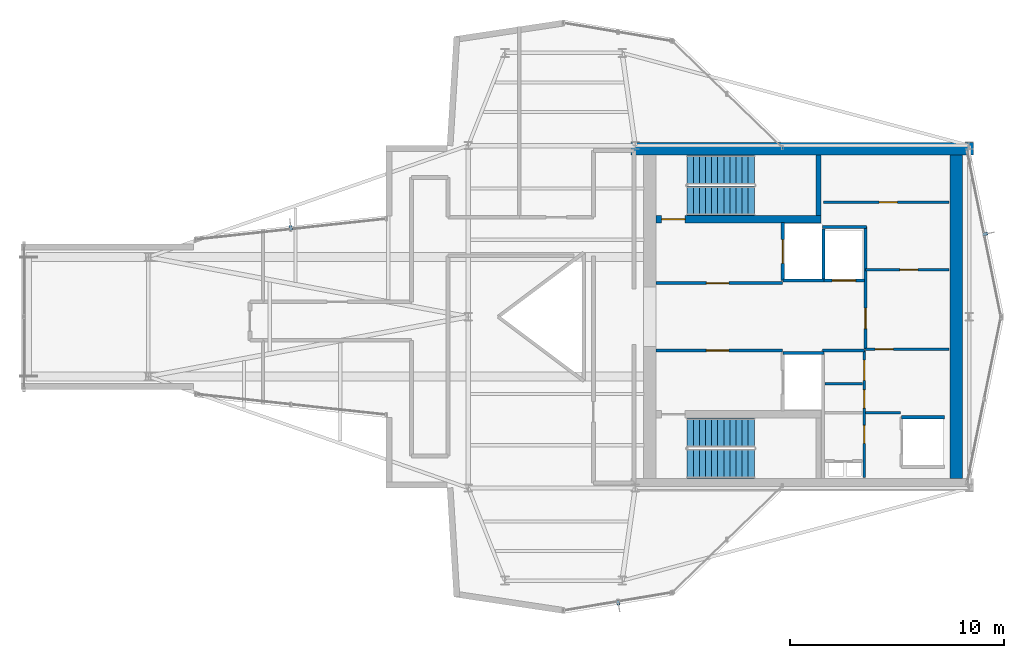
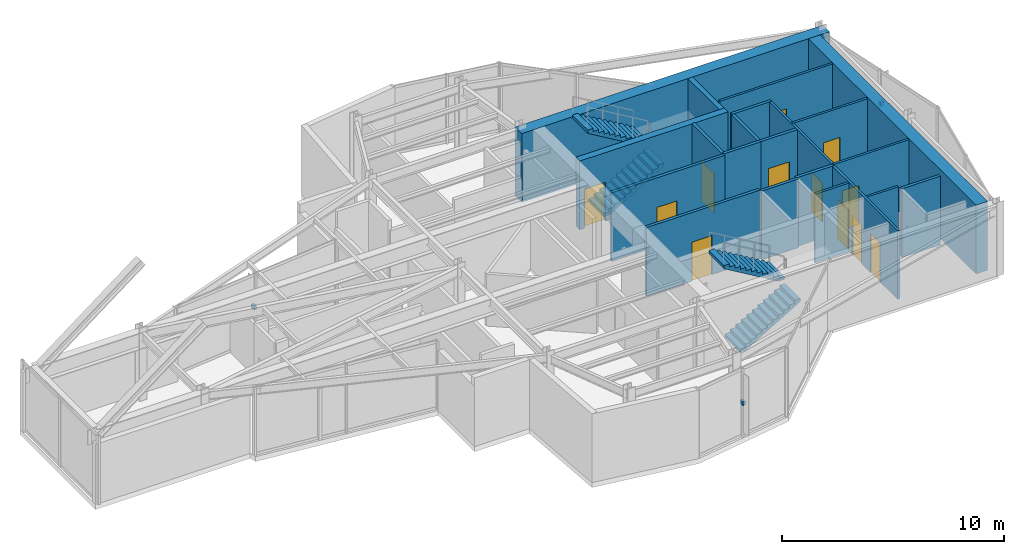
# One storey, part 15 of 16: 21 walls, 12 doors, 4 stair flights, 3 discrete accessories, 12 openings, 2 elements without a shape of their own.
"""IFC4 building model written with IfcOpenShell, lengths in metres."""

from ifc_helpers import new_model, si_unit, direction, frame, frame_2d, origin, origin_2d, place, context, subcontext, project, spatial, polyline, rectangle, outline, extrude, material, layer, layer_set, type_object, element, fill, aggregate, save


model = new_model("IFC4")

# Units and contexts
model_context = context("Model", 3, precision=1e-05, world=origin(), true_north=direction((0.0, 1.0)))
body_context = subcontext(model_context, "Body", "Model", "MODEL_VIEW")
ifc_project = project(units=[si_unit("LENGTHUNIT", "METRE"), si_unit("AREAUNIT", "SQUARE_METRE"), si_unit("VOLUMEUNIT", "CUBIC_METRE"), si_unit("PLANEANGLEUNIT", "RADIAN"), si_unit("MASSUNIT", "GRAM", prefix="KILO")], contexts=[model_context])

# Site, building, storey
site_placement = place(None, origin())
site = spatial("IfcSite", under=ifc_project, at=site_placement, CompositionType="ELEMENT")
building_placement = place(site_placement, origin())
building = spatial("IfcBuilding", under=site, at=building_placement, Name="Veymaron Broadcast Tower", CompositionType="ELEMENT")
storey_placement = place(building_placement, frame((0.0, 0.0, 315.449951171875)))
storey = spatial("IfcBuildingStorey", under=building, at=storey_placement, Name="L74", CompositionType="ELEMENT", Elevation=315.449951171875)

# Wall, opening, door
ifc_material_1 = material(Name="Gypsum fireboard and steel stud framing", Category="steel")
ifc_layer_1 = layer(ifc_material_1, 0.14990234375)
ifc_layer_set_1 = layer_set([ifc_layer_1], Name="Gypsum fireboard and steel stud framing")
wall_type_1 = type_object("IfcWallType", Name="WALL-FIRE-150", PredefinedType="PARTITIONING", material=ifc_layer_set_1)
wall_1_placement = place(storey_placement, frame((39.97998046875, 25.574951171875, 0.0), z_axis=(0.0, 0.0, 1.0), x_axis=(1.0, 0.0, 0.0)))
wall_1 = element("IfcWall", 1, at=wall_1_placement, inside=storey, type_object=wall_type_1, Name="L74 partition IW-L74-FFLN-S", PredefinedType="PARTITIONING", context=body_context, shape_type="SweptSolid", body=[
    extrude(rectangle(XDim=5.89990234375, YDim=0.14990234375, at=frame_2d((2.949951171875, 0.0))), origin(), (0.0, 0.0, 1.0), 3.780029296875),
])
opening_1_placement = place(wall_1_placement, frame((2.35009765625, 0.0, 0.0)))
opening_1 = element("IfcOpeningElement", 2, at=opening_1_placement, cuts=wall_1, Name="Opening ID-FL1", PredefinedType="OPENING", context=body_context, shape_type="SweptSolid", body=[
    extrude(rectangle(XDim=1.050048828125, YDim=2.14990234375, at=frame_2d((0.52490234375, 1.074951171875))), frame((0.0, 0.0849609375, 0.0), z_axis=(0.0, -1.0, 0.0), x_axis=(1.0, 0.0, 0.0)), (0.0, 0.0, 1.0), 0.169921875),
])
ifc_material_2 = material(Name="Fire-rated painted hollow steel ASTM A653", Category="steel")
door_type_1 = type_object("IfcDoorType", Name="DOOR-FIRE-1050", OperationType="NOTDEFINED", PredefinedType="DOOR", material=ifc_material_2)
door_1_placement = place(opening_1_placement, origin())
door_1 = element("IfcDoor", 3, at=door_1_placement, inside=storey, type_object=door_type_1, Name="L74 door DR-L74-FFLN", OperationType="SINGLE_SWING_LEFT", OverallHeight=2.14990234375, OverallWidth=1.050048828125, PredefinedType="DOOR", context=body_context, shape_type="SweptSolid", body=[
    extrude(rectangle(XDim=1.050048828125, YDim=2.14990234375, at=frame_2d((0.52490234375, 1.074951171875))), frame((0.0, 0.02490234375, 0.0), z_axis=(0.0, -1.0, 0.0), x_axis=(1.0, 0.0, 0.0)), (0.0, 0.0, 1.0), 0.050048828125),
])
fill(opening_1, door_1)

wall_2_placement = place(storey_placement, frame((39.97998046875, 22.425048828125, 0.0), z_axis=(0.0, 0.0, 1.0), x_axis=(1.0, 0.0, 0.0)))
wall_2 = element("IfcWall", 4, at=wall_2_placement, inside=storey, type_object=wall_type_1, Name="L74 partition IW-L74-FFLS-N", PredefinedType="PARTITIONING", context=body_context, shape_type="SweptSolid", body=[
    extrude(rectangle(XDim=5.89990234375, YDim=0.14990234375, at=frame_2d((2.949951171875, 0.0))), origin(), (0.0, 0.0, 1.0), 3.780029296875),
])
opening_2_placement = place(wall_2_placement, frame((2.35009765625, 0.0, 0.0)))
opening_2 = element("IfcOpeningElement", 5, at=opening_2_placement, cuts=wall_2, Name="Opening ID-FL1", PredefinedType="OPENING", context=body_context, shape_type="SweptSolid", body=[
    extrude(rectangle(XDim=1.050048828125, YDim=2.14990234375, at=frame_2d((0.52490234375, 1.074951171875))), frame((0.0, 0.0849609375, 0.0), z_axis=(0.0, -1.0, 0.0), x_axis=(1.0, 0.0, 0.0)), (0.0, 0.0, 1.0), 0.169921875),
])
door_2_placement = place(opening_2_placement, frame((1.050048828125, 0.0, 0.0), z_axis=(0.0, 0.0, 1.0), x_axis=(-1.0, 0.0, 0.0)))
door_2 = element("IfcDoor", 6, at=door_2_placement, inside=storey, type_object=door_type_1, Name="L74 door DR-L74-FFLS", OperationType="SINGLE_SWING_RIGHT", OverallHeight=2.14990234375, OverallWidth=1.050048828125, PredefinedType="DOOR", context=body_context, shape_type="SweptSolid", body=[
    extrude(rectangle(XDim=1.050048828125, YDim=2.14990234375, at=frame_2d((0.52490234375, 1.074951171875))), frame((0.0, 0.02490234375, 0.0), z_axis=(0.0, -1.0, 0.0), x_axis=(1.0, 0.0, 0.0)), (0.0, 0.0, 1.0), 0.050048828125),
])
fill(opening_2, door_2)

wall_3_placement = place(storey_placement, frame((45.89501953125, 25.68994140625, 0.0), z_axis=(0.0, 0.0, 1.0), x_axis=(0.0, 1.0, 0.0)))
wall_3 = element("IfcWall", 7, at=wall_3_placement, inside=storey, type_object=wall_type_1, Name="L74 partition IW-L74-SHW-FFL-1", PredefinedType="PARTITIONING", context=body_context, shape_type="SweptSolid", body=[
    extrude(rectangle(XDim=2.719970703125, YDim=0.14990234375, at=frame_2d((1.35986328125, 0.0))), origin(), (0.0, 0.0, 1.0), 3.780029296875),
])
opening_3_placement = place(wall_3_placement, frame((0.81005859375, 0.0, 0.0)))
opening_3 = element("IfcOpeningElement", 8, at=opening_3_placement, cuts=wall_3, Name="Opening LD", PredefinedType="OPENING", context=body_context, shape_type="SweptSolid", body=[
    extrude(rectangle(XDim=1.10009765625, YDim=2.14990234375, at=frame_2d((0.550048828125, 1.074951171875))), frame((0.0, 0.0849609375, 0.0), z_axis=(0.0, -1.0, 0.0), x_axis=(1.0, 0.0, 0.0)), (0.0, 0.0, 1.0), 0.169921875),
])
ifc_material_3 = material(Name="Brushed stainless steel AISI 304", Category="steel")
door_type_2 = type_object("IfcDoorType", Name="DOOR-LIFT-1100", OperationType="DOUBLE_DOOR_SLIDING", PredefinedType="DOOR", material=ifc_material_3)
door_3_placement = place(opening_3_placement, frame((1.10009765625, 0.0, 0.0), z_axis=(0.0, 0.0, 1.0), x_axis=(-1.0, 0.0, 0.0)))
door_3 = element("IfcDoor", 9, at=door_3_placement, inside=storey, type_object=door_type_2, Name="L74 door LD-L74-FFL-1", OperationType="DOUBLE_DOOR_SLIDING", OverallHeight=2.14990234375, OverallWidth=1.10009765625, PredefinedType="DOOR", context=body_context, shape_type="SweptSolid", body=[
    extrude(rectangle(XDim=1.10009765625, YDim=2.14990234375, at=frame_2d((0.550048828125, 1.074951171875))), frame((0.0, 0.02490234375, 0.0), z_axis=(0.0, -1.0, 0.0), x_axis=(1.0, 0.0, 0.0)), (0.0, 0.0, 1.0), 0.050048828125),
])
fill(opening_3, door_3)

# Walls
for number, where, z_axis, x_axis, name in (
    (10, (45.89501953125, 25.68994140625, 0.0), (0.0, 0.0, 1.0), (1.0, 0.0, 0.0), "L74 partition IW-L74-SHS-FFL-1"),
    (11, (45.89501953125, 22.31005859375, 0.0), (0.0, 0.0, 1.0), (1.0, 0.0, 0.0), "L74 partition IW-L74-SHN-FFL-2"),
):
    element("IfcWall", number, at=place(storey_placement, frame(where, z_axis=z_axis, x_axis=x_axis)), inside=storey, type_object=wall_type_1, Name=name, PredefinedType="PARTITIONING", context=body_context, shape_type="SweptSolid", body=[
        extrude(rectangle(XDim=1.9150390625, YDim=0.14990234375, at=frame_2d((0.95751953125, 0.0))), origin(), (0.0, 0.0, 1.0), 3.780029296875),
    ])

# Wall, opening, door
wall_4_placement = place(storey_placement, frame((47.7900390625, 25.695068359375, 0.0), z_axis=(0.0, 0.0, 1.0), x_axis=(1.0, 0.0, 0.0)))
wall_4 = element("IfcWall", 12, at=wall_4_placement, inside=storey, type_object=wall_type_1, Name="L74 partition IW-L74-SHS-SL-1", PredefinedType="PARTITIONING", context=body_context, shape_type="SweptSolid", body=[
    extrude(rectangle(XDim=1.919921875, YDim=0.14990234375, at=frame_2d((0.9599609375, 0.0))), origin(), (0.0, 0.0, 1.0), 3.780029296875),
])
opening_4_placement = place(wall_4_placement, frame((0.409912109375, 0.0, 0.0)))
opening_4 = element("IfcOpeningElement", 13, at=opening_4_placement, cuts=wall_4, Name="Opening LD", PredefinedType="OPENING", context=body_context, shape_type="SweptSolid", body=[
    extrude(rectangle(XDim=1.10009765625, YDim=2.14990234375, at=frame_2d((0.550048828125, 1.074951171875))), frame((0.0, 0.0849609375, 0.0), z_axis=(0.0, -1.0, 0.0), x_axis=(1.0, 0.0, 0.0)), (0.0, 0.0, 1.0), 0.169921875),
])
door_4_placement = place(opening_4_placement, frame((1.10009765625, 0.0, 0.0), z_axis=(0.0, 0.0, 1.0), x_axis=(-1.0, 0.0, 0.0)))
door_4 = element("IfcDoor", 14, at=door_4_placement, inside=storey, type_object=door_type_2, Name="L74 door LD-L74-SL-1", OperationType="DOUBLE_DOOR_SLIDING", OverallHeight=2.14990234375, OverallWidth=1.10009765625, PredefinedType="DOOR", context=body_context, shape_type="SweptSolid", body=[
    extrude(rectangle(XDim=1.10009765625, YDim=2.14990234375, at=frame_2d((0.550048828125, 1.074951171875))), frame((0.0, 0.02490234375, 0.0), z_axis=(0.0, -1.0, 0.0), x_axis=(1.0, 0.0, 0.0)), (0.0, 0.0, 1.0), 0.050048828125),
])
fill(opening_4, door_4)

# Walls
wall_5_placement = place(storey_placement, frame((47.7900390625, 25.695068359375, 0.0), z_axis=(0.0, 0.0, 1.0), x_axis=(0.0, 1.0, 0.0)))
element("IfcWall", 15, at=wall_5_placement, inside=storey, type_object=wall_type_1, Name="L74 partition IW-L74-SHW-SL-1", PredefinedType="PARTITIONING", context=body_context, shape_type="SweptSolid", body=[
    extrude(rectangle(XDim=2.4150390625, YDim=0.14990234375, at=frame_2d((1.20751953125, 0.0))), origin(), (0.0, 0.0, 1.0), 3.780029296875),
])
wall_6_placement = place(storey_placement, frame((51.445068359375, 19.31005859375, 0.0), z_axis=(0.0, 0.0, 1.0), x_axis=(1.0, 0.0, 0.0)))
element("IfcWall", 16, at=wall_6_placement, inside=storey, type_object=wall_type_1, Name="L74 partition IW-L74-SHN-PH1", PredefinedType="PARTITIONING", context=body_context, shape_type="SweptSolid", body=[
    extrude(rectangle(XDim=2.014892578125, YDim=0.14990234375, at=frame_2d((1.00732421875, 0.0))), origin(), (0.0, 0.0, 1.0), 3.780029296875),
])
wall_7_placement = place(storey_placement, frame((47.760009765625, 22.425048828125, 0.0), z_axis=(0.0, 0.0, 1.0), x_axis=(1.0, 0.0, 0.0)))
element("IfcWall", 17, at=wall_7_placement, inside=storey, type_object=wall_type_1, Name="L74 partition IW-L74-SM-N", PredefinedType="PARTITIONING", context=body_context, shape_type="SweptSolid", body=[
    extrude(rectangle(XDim=1.9599609375, YDim=0.14990234375, at=frame_2d((0.97998046875, 0.0))), origin(), (0.0, 0.0, 1.0), 3.780029296875),
])
wall_8_placement = place(storey_placement, frame((47.760009765625, 28.199951171875, 0.0), z_axis=(0.0, 0.0, 1.0), x_axis=(1.0, 0.0, 0.0)))
element("IfcWall", 18, at=wall_8_placement, inside=storey, type_object=wall_type_1, Name="L74 partition IW-L74-F3-SW", PredefinedType="PARTITIONING", context=body_context, shape_type="SweptSolid", body=[
    extrude(rectangle(XDim=2.0400390625, YDim=0.14990234375, at=frame_2d((1.02001953125, 0.0))), origin(), (0.0, 0.0, 1.0), 3.780029296875),
])
ifc_material_4 = material(Name="Acoustic gypsum board and galvanized stud", Category="gypsum")
ifc_layer_2 = layer(ifc_material_4, 0.1201171875)
ifc_layer_set_2 = layer_set([ifc_layer_2], Name="Acoustic gypsum board and galvanized stud")
wall_type_2 = type_object("IfcWallType", Name="WALL-PART-120", PredefinedType="PARTITIONING", material=ifc_layer_set_2)
wall_9_placement = place(storey_placement, frame((47.860107421875, 20.8798828125, 0.0), z_axis=(0.0, 0.0, 1.0), x_axis=(1.0, 0.0, 0.0)))
element("IfcWall", 19, at=wall_9_placement, inside=storey, type_object=wall_type_2, Name="L74 partition IW-L74-SM-D2", PredefinedType="PARTITIONING", context=body_context, shape_type="SweptSolid", body=[
    extrude(rectangle(XDim=1.760009765625, YDim=0.1201171875, at=frame_2d((0.8798828125, 0.0))), origin(), (0.0, 0.0, 1.0), 3.780029296875),
])

# Wall, openings, doors
wall_10_placement = place(storey_placement, frame((49.699951171875, 16.47998046875, 0.0), z_axis=(0.0, 0.0, 1.0), x_axis=(0.0, 1.0, 0.0)))
wall_10 = element("IfcWall", 20, at=wall_10_placement, inside=storey, type_object=wall_type_2, Name="L74 partition IW-L74-SM-E", PredefinedType="PARTITIONING", context=body_context, shape_type="SweptSolid", body=[
    extrude(rectangle(XDim=5.945068359375, YDim=0.1201171875, at=frame_2d((2.97265625, 0.0))), origin(), (0.0, 0.0, 1.0), 3.780029296875),
])
opening_5_placement = place(wall_10_placement, frame((1.60009765625, 0.0, 0.0)))
opening_5 = element("IfcOpeningElement", 21, at=opening_5_placement, cuts=wall_10, Name="Opening ID-WC1", PredefinedType="OPENING", context=body_context, shape_type="SweptSolid", body=[
    extrude(rectangle(XDim=0.85009765625, YDim=2.14990234375, at=frame_2d((0.425048828125, 1.074951171875))), frame((0.0, 0.070068359375, 0.0), z_axis=(0.0, -1.0, 0.0), x_axis=(1.0, 0.0, 0.0)), (0.0, 0.0, 1.0), 0.14013671875),
])
opening_6_placement = place(wall_10_placement, frame((3.25, 0.0, 0.0)))
opening_6 = element("IfcOpeningElement", 22, at=opening_6_placement, cuts=wall_10, Name="Opening ID-WC1", PredefinedType="OPENING", context=body_context, shape_type="SweptSolid", body=[
    extrude(rectangle(XDim=0.85009765625, YDim=2.14990234375, at=frame_2d((0.425048828125, 1.074951171875))), frame((0.0, 0.070068359375, 0.0), z_axis=(0.0, -1.0, 0.0), x_axis=(1.0, 0.0, 0.0)), (0.0, 0.0, 1.0), 0.14013671875),
])
opening_7_placement = place(wall_10_placement, frame((4.550048828125, 0.0, 0.0)))
opening_7 = element("IfcOpeningElement", 23, at=opening_7_placement, cuts=wall_10, Name="Opening ID-RM1", PredefinedType="OPENING", context=body_context, shape_type="SweptSolid", body=[
    extrude(rectangle(XDim=0.949951171875, YDim=2.14990234375, at=frame_2d((0.47509765625, 1.074951171875))), frame((0.0, 0.070068359375, 0.0), z_axis=(0.0, -1.0, 0.0), x_axis=(1.0, 0.0, 0.0)), (0.0, 0.0, 1.0), 0.14013671875),
])
ifc_material_5 = material(Name="Moisture-resistant high-pressure laminate timber", Category="wood")
door_type_3 = type_object("IfcDoorType", Name="DOOR-INT-850", OperationType="NOTDEFINED", PredefinedType="DOOR", material=ifc_material_5)
door_5_placement = place(opening_5_placement, frame((0.85009765625, 0.0, 0.0), z_axis=(0.0, 0.0, 1.0), x_axis=(-1.0, 0.0, 0.0)))
door_5 = element("IfcDoor", 24, at=door_5_placement, inside=storey, type_object=door_type_3, Name="L74 door DR-L74-JST", OperationType="SINGLE_SWING_LEFT", OverallHeight=2.14990234375, OverallWidth=0.85009765625, PredefinedType="DOOR", context=body_context, shape_type="SweptSolid", body=[
    extrude(rectangle(XDim=0.85009765625, YDim=2.14990234375, at=frame_2d((0.425048828125, 1.074951171875))), frame((0.0, 0.02490234375, 0.0), z_axis=(0.0, -1.0, 0.0), x_axis=(1.0, 0.0, 0.0)), (0.0, 0.0, 1.0), 0.050048828125),
])
fill(opening_5, door_5)
door_6_placement = place(opening_6_placement, frame((0.85009765625, 0.0, 0.0), z_axis=(0.0, 0.0, 1.0), x_axis=(-1.0, 0.0, 0.0)))
door_6 = element("IfcDoor", 25, at=door_6_placement, inside=storey, type_object=door_type_3, Name="L74 door DR-L74-SWC", OperationType="SINGLE_SWING_RIGHT", OverallHeight=2.14990234375, OverallWidth=0.85009765625, PredefinedType="DOOR", context=body_context, shape_type="SweptSolid", body=[
    extrude(rectangle(XDim=0.85009765625, YDim=2.14990234375, at=frame_2d((0.425048828125, 1.074951171875))), frame((0.0, 0.02490234375, 0.0), z_axis=(0.0, -1.0, 0.0), x_axis=(1.0, 0.0, 0.0)), (0.0, 0.0, 1.0), 0.050048828125),
])
fill(opening_6, door_6)
ifc_material_6 = material(Name="Acoustic solid-core European oak veneer timber", Category="wood")
door_type_4 = type_object("IfcDoorType", Name="DOOR-INT-950", OperationType="NOTDEFINED", PredefinedType="DOOR", material=ifc_material_6)
door_7_placement = place(opening_7_placement, frame((0.949951171875, 0.0, 0.0), z_axis=(0.0, 0.0, 1.0), x_axis=(-1.0, 0.0, 0.0)))
door_7 = element("IfcDoor", 26, at=door_7_placement, inside=storey, type_object=door_type_4, Name="L74 door DR-L74-AWC", OperationType="SINGLE_SWING_LEFT", OverallHeight=2.14990234375, OverallWidth=0.949951171875, PredefinedType="DOOR", context=body_context, shape_type="SweptSolid", body=[
    extrude(rectangle(XDim=0.949951171875, YDim=2.14990234375, at=frame_2d((0.47509765625, 1.074951171875))), frame((0.0, 0.02490234375, 0.0), z_axis=(0.0, -1.0, 0.0), x_axis=(1.0, 0.0, 0.0)), (0.0, 0.0, 1.0), 0.050048828125),
])
fill(opening_7, door_7)

# Wall, opening, door
wall_11_placement = place(storey_placement, frame((49.760009765625, 22.47998046875, 0.0), z_axis=(0.0, 0.0, 1.0), x_axis=(1.0, 0.0, 0.0)))
wall_11 = element("IfcWall", 27, at=wall_11_placement, inside=storey, type_object=wall_type_2, Name="L74 partition IW-L74-F3S-N", PredefinedType="PARTITIONING", context=body_context, shape_type="SweptSolid", body=[
    extrude(rectangle(XDim=3.89990234375, YDim=0.1201171875, at=frame_2d((1.949951171875, 0.0))), origin(), (0.0, 0.0, 1.0), 3.780029296875),
])
opening_8_placement = place(wall_11_placement, frame((0.449951171875, 0.0, 0.0)))
opening_8 = element("IfcOpeningElement", 28, at=opening_8_placement, cuts=wall_11, Name="Opening ID-WC1", PredefinedType="OPENING", context=body_context, shape_type="SweptSolid", body=[
    extrude(rectangle(XDim=0.85009765625, YDim=2.14990234375, at=frame_2d((0.425048828125, 1.074951171875))), frame((0.0, 0.070068359375, 0.0), z_axis=(0.0, -1.0, 0.0), x_axis=(1.0, 0.0, 0.0)), (0.0, 0.0, 1.0), 0.14013671875),
])
door_8_placement = place(opening_8_placement, frame((0.85009765625, 0.0, 0.0), z_axis=(0.0, 0.0, 1.0), x_axis=(-1.0, 0.0, 0.0)))
door_8 = element("IfcDoor", 29, at=door_8_placement, inside=storey, type_object=door_type_3, Name="L74 door DR-L74-F3S", OperationType="SINGLE_SWING_LEFT", OverallHeight=2.14990234375, OverallWidth=0.85009765625, PredefinedType="DOOR", context=body_context, shape_type="SweptSolid", body=[
    extrude(rectangle(XDim=0.85009765625, YDim=2.14990234375, at=frame_2d((0.425048828125, 1.074951171875))), frame((0.0, 0.02490234375, 0.0), z_axis=(0.0, -1.0, 0.0), x_axis=(1.0, 0.0, 0.0)), (0.0, 0.0, 1.0), 0.050048828125),
])
fill(opening_8, door_8)

# Wall
wall_12_placement = place(storey_placement, frame((49.760009765625, 19.52001953125, 0.0), z_axis=(0.0, 0.0, 1.0), x_axis=(1.0, 0.0, 0.0)))
element("IfcWall", 30, at=wall_12_placement, inside=storey, type_object=wall_type_2, Name="L74 partition IW-L74-F3S-S", PredefinedType="PARTITIONING", context=body_context, shape_type="SweptSolid", body=[
    extrude(rectangle(XDim=1.639892578125, YDim=0.1201171875, at=frame_2d((0.81982421875, 0.0))), origin(), (0.0, 0.0, 1.0), 3.780029296875),
])

# Wall, opening, door
wall_13_placement = place(storey_placement, frame((49.760009765625, 22.5, 0.0), z_axis=(0.0, 0.0, 1.0), x_axis=(0.0, 1.0, 0.0)))
wall_13 = element("IfcWall", 31, at=wall_13_placement, inside=storey, type_object=wall_type_2, Name="L74 partition IW-L74-F3-W", PredefinedType="PARTITIONING", context=body_context, shape_type="SweptSolid", body=[
    extrude(rectangle(XDim=5.719970703125, YDim=0.1201171875, at=frame_2d((2.85986328125, 0.0))), origin(), (0.0, 0.0, 1.0), 3.780029296875),
])
opening_9_placement = place(wall_13_placement, frame((0.949951171875, 0.0, 0.0)))
opening_9 = element("IfcOpeningElement", 32, at=opening_9_placement, cuts=wall_13, Name="Opening ID-RM1", PredefinedType="OPENING", context=body_context, shape_type="SweptSolid", body=[
    extrude(rectangle(XDim=0.949951171875, YDim=2.14990234375, at=frame_2d((0.47509765625, 1.074951171875))), frame((0.0, 0.070068359375, 0.0), z_axis=(0.0, -1.0, 0.0), x_axis=(1.0, 0.0, 0.0)), (0.0, 0.0, 1.0), 0.14013671875),
])
door_9_placement = place(opening_9_placement, origin())
door_9 = element("IfcDoor", 33, at=door_9_placement, inside=storey, type_object=door_type_4, Name="L74 door DR-L74-F3A", OperationType="SINGLE_SWING_LEFT", OverallHeight=2.14990234375, OverallWidth=0.949951171875, PredefinedType="DOOR", context=body_context, shape_type="SweptSolid", body=[
    extrude(rectangle(XDim=0.949951171875, YDim=2.14990234375, at=frame_2d((0.47509765625, 1.074951171875))), frame((0.0, 0.02490234375, 0.0), z_axis=(0.0, -1.0, 0.0), x_axis=(1.0, 0.0, 0.0)), (0.0, 0.0, 1.0), 0.050048828125),
])
fill(opening_9, door_9)

wall_14_placement = place(storey_placement, frame((49.760009765625, 26.199951171875, 0.0), z_axis=(0.0, 0.0, 1.0), x_axis=(1.0, 0.0, 0.0)))
wall_14 = element("IfcWall", 34, at=wall_14_placement, inside=storey, type_object=wall_type_2, Name="L74 partition IW-L74-F3-M1", PredefinedType="PARTITIONING", context=body_context, shape_type="SweptSolid", body=[
    extrude(rectangle(XDim=3.89990234375, YDim=0.1201171875, at=frame_2d((1.949951171875, 0.0))), origin(), (0.0, 0.0, 1.0), 3.780029296875),
])
opening_10_placement = place(wall_14_placement, frame((1.60009765625, 0.0, 0.0)))
opening_10 = element("IfcOpeningElement", 35, at=opening_10_placement, cuts=wall_14, Name="Opening ID-WC1", PredefinedType="OPENING", context=body_context, shape_type="SweptSolid", body=[
    extrude(rectangle(XDim=0.85009765625, YDim=2.14990234375, at=frame_2d((0.425048828125, 1.074951171875))), frame((0.0, 0.070068359375, 0.0), z_axis=(0.0, -1.0, 0.0), x_axis=(1.0, 0.0, 0.0)), (0.0, 0.0, 1.0), 0.14013671875),
])
door_10_placement = place(opening_10_placement, origin())
door_10 = element("IfcDoor", 36, at=door_10_placement, inside=storey, type_object=door_type_3, Name="L74 door DR-L74-F3B", OperationType="SINGLE_SWING_LEFT", OverallHeight=2.14990234375, OverallWidth=0.85009765625, PredefinedType="DOOR", context=body_context, shape_type="SweptSolid", body=[
    extrude(rectangle(XDim=0.85009765625, YDim=2.14990234375, at=frame_2d((0.425048828125, 1.074951171875))), frame((0.0, 0.02490234375, 0.0), z_axis=(0.0, -1.0, 0.0), x_axis=(1.0, 0.0, 0.0)), (0.0, 0.0, 1.0), 0.050048828125),
])
fill(opening_10, door_10)

wall_15_placement = place(storey_placement, frame((47.800048828125, 29.35009765625, 0.0), z_axis=(0.0, 0.0, 1.0), x_axis=(1.0, 0.0, 0.0)))
wall_15 = element("IfcWall", 37, at=wall_15_placement, inside=storey, type_object=wall_type_2, Name="L74 partition IW-L74-F3-M2", PredefinedType="PARTITIONING", context=body_context, shape_type="SweptSolid", body=[
    extrude(rectangle(XDim=5.85986328125, YDim=0.1201171875, at=frame_2d((2.929931640625, 0.0))), origin(), (0.0, 0.0, 1.0), 3.780029296875),
])
opening_11_placement = place(wall_15_placement, frame((2.60009765625, 0.0, 0.0)))
opening_11 = element("IfcOpeningElement", 38, at=opening_11_placement, cuts=wall_15, Name="Opening ID-WC1", PredefinedType="OPENING", context=body_context, shape_type="SweptSolid", body=[
    extrude(rectangle(XDim=0.85009765625, YDim=2.14990234375, at=frame_2d((0.425048828125, 1.074951171875))), frame((0.0, 0.070068359375, 0.0), z_axis=(0.0, -1.0, 0.0), x_axis=(1.0, 0.0, 0.0)), (0.0, 0.0, 1.0), 0.14013671875),
])
door_11_placement = place(opening_11_placement, origin())
door_11 = element("IfcDoor", 39, at=door_11_placement, inside=storey, type_object=door_type_3, Name="L74 door DR-L74-F3C", OperationType="SINGLE_SWING_RIGHT", OverallHeight=2.14990234375, OverallWidth=0.85009765625, PredefinedType="DOOR", context=body_context, shape_type="SweptSolid", body=[
    extrude(rectangle(XDim=0.85009765625, YDim=2.14990234375, at=frame_2d((0.425048828125, 1.074951171875))), frame((0.0, 0.02490234375, 0.0), z_axis=(0.0, -1.0, 0.0), x_axis=(1.0, 0.0, 0.0)), (0.0, 0.0, 1.0), 0.050048828125),
])
fill(opening_11, door_11)

# Wall
ifc_material_7 = material(Name="Concrete C50/60", Category="concrete")
ifc_layer_3 = layer(ifc_material_7, 0.25)
ifc_layer_set_3 = layer_set([ifc_layer_3], Name="Concrete C50/60")
wall_type_3 = type_object("IfcWallType", Name="WALL-SHEAR-250", PredefinedType="SHEAR", material=ifc_layer_set_3)
wall_16_placement = place(storey_placement, frame((47.56494140625, 28.72998046875, 0.0), z_axis=(0.0, 0.0, 1.0), x_axis=(0.0, 1.0, 0.0)))
element("IfcWall", 40, at=wall_16_placement, inside=storey, type_object=wall_type_3, Name="L74 Core Wall north stair east shear", PredefinedType="SHEAR", context=body_context, shape_type="SweptSolid", body=[
    extrude(rectangle(XDim=2.820068359375, YDim=0.25, at=frame_2d((1.41015625, 0.0))), origin(), (0.0, 0.0, 1.0), 3.780029296875),
])

# Wall, opening, door
ifc_layer_4 = layer(ifc_material_7, 0.35009765625)
ifc_layer_set_4 = layer_set([ifc_layer_4], Name="Concrete C50/60")
wall_type_4 = type_object("IfcWallType", Name="WALL-SHEAR-350", PredefinedType="SHEAR", material=ifc_layer_set_4)
wall_17_placement = place(storey_placement, frame((39.97998046875, 28.554931640625, 0.0), z_axis=(0.0, 0.0, 1.0), x_axis=(1.0, 0.0, 0.0)))
wall_17 = element("IfcWall", 41, at=wall_17_placement, inside=storey, type_object=wall_type_4, Name="L74 Core Wall north stair spine", PredefinedType="SHEAR", context=body_context, shape_type="SweptSolid", body=[
    extrude(rectangle(XDim=7.7099609375, YDim=0.35009765625, at=frame_2d((3.85498046875, 0.0))), origin(), (0.0, 0.0, 1.0), 3.780029296875),
])
opening_12_placement = place(wall_17_placement, frame((0.25, 0.0, 0.0)))
opening_12 = element("IfcOpeningElement", 42, at=opening_12_placement, cuts=wall_17, Name="Opening ID-ST1", PredefinedType="OPENING", context=body_context, shape_type="SweptSolid", body=[
    extrude(rectangle(XDim=1.10009765625, YDim=2.14990234375, at=frame_2d((0.550048828125, 1.074951171875))), frame((0.0, 0.18505859375, 0.0), z_axis=(0.0, -1.0, 0.0), x_axis=(1.0, 0.0, 0.0)), (0.0, 0.0, 1.0), 0.3701171875),
])
door_type_5 = type_object("IfcDoorType", Name="DOOR-STAIR-1100", OperationType="NOTDEFINED", PredefinedType="DOOR", material=ifc_material_2)
door_12_placement = place(opening_12_placement, origin())
door_12 = element("IfcDoor", 43, at=door_12_placement, inside=storey, type_object=door_type_5, Name="L74 exit stair ST1 fire door", OperationType="SINGLE_SWING_LEFT", OverallHeight=2.14990234375, OverallWidth=1.10009765625, PredefinedType="DOOR", context=body_context, shape_type="SweptSolid", body=[
    extrude(rectangle(XDim=1.10009765625, YDim=2.14990234375, at=frame_2d((0.550048828125, 1.074951171875))), frame((0.0, 0.02490234375, 0.0), z_axis=(0.0, -1.0, 0.0), x_axis=(1.0, 0.0, 0.0)), (0.0, 0.0, 1.0), 0.050048828125),
])
fill(opening_12, door_12)

# Walls
ifc_layer_5 = layer(ifc_material_7, 0.60009765625)
ifc_layer_set_5 = layer_set([ifc_layer_5], Name="Concrete C50/60")
wall_type_5 = type_object("IfcWallType", Name="WALL-SHEAR-600", PredefinedType="SHEAR", material=ifc_layer_set_5)
wall_18_placement = place(storey_placement, frame((38.800048828125, 31.85009765625, 0.0), z_axis=(0.0, 0.0, 1.0), x_axis=(1.0, 0.0, 0.0)))
element("IfcWall", 44, at=wall_18_placement, inside=storey, type_object=wall_type_5, Name="L74 Core Wall north shear", PredefinedType="SHEAR", context=body_context, shape_type="SweptSolid", body=[
    extrude(rectangle(XDim=16.0, YDim=0.60009765625, at=frame_2d((8.0, 0.0))), origin(), (0.0, 0.0, 1.0), 3.780029296875),
])
wall_19_placement = place(storey_placement, frame((54.0, 16.449951171875, 0.0), z_axis=(0.0, 0.0, 1.0), x_axis=(0.0, 1.0, 0.0)))
element("IfcWall", 45, at=wall_19_placement, inside=storey, type_object=wall_type_5, Name="L74 Core Wall east shear", PredefinedType="SHEAR", context=body_context, shape_type="SweptSolid", body=[
    extrude(rectangle(XDim=15.10009765625, YDim=0.60009765625, at=frame_2d((7.550048828125, 0.0))), origin(), (0.0, 0.0, 1.0), 3.780029296875),
])

# Stair, stair flights
stair_type_1 = type_object("IfcStairType", Name="STAIR-CORE-1", PredefinedType="HALF_TURN_STAIR", material=ifc_material_7)
stair_1_placement = place(storey_placement, origin())
stair_1 = element("IfcStair", 46, at=stair_1_placement, inside=storey, type_object=stair_type_1, Name="L74 North protected dog-leg exit stair ST1", PredefinedType="HALF_TURN_STAIR")
ifc_material_8 = material(Name="Precast concrete C50/60", Category="concrete")
stair_flight_type = type_object("IfcStairFlightType", Name="FLT-CORE-RC", PredefinedType="STRAIGHT", material=ifc_material_8)
stair_flight_1_placement = place(storey_placement, frame((41.429931640625, 29.419921875, 0.0), z_axis=(0.0, 0.0, 1.0), x_axis=(1.0, 0.0, 0.0)))
stair_flight_1 = element("IfcStairFlight", 47, at=stair_flight_1_placement, type_object=stair_flight_type, Name="ST1 flight 1", NumberOfRisers=12, NumberOfTreads=11, PredefinedType="STRAIGHT", RiserHeight=0.16875, TreadLength=0.285, context=body_context, shape_type="SweptSolid", body=[
    extrude(outline(polyline([(0.0, 0.0), (0.0, 0.168701171875), (0.284912109375, 0.168701171875), (0.284912109375, 0.33740234375), (0.570068359375, 0.33740234375), (0.570068359375, 0.50634765625), (0.85498046875, 0.50634765625), (0.85498046875, 0.675048828125), (1.139892578125, 0.675048828125), (1.139892578125, 0.84375), (1.425048828125, 0.84375), (1.425048828125, 1.012451171875), (1.7099609375, 1.012451171875), (1.7099609375, 1.18115234375), (1.9951171875, 1.18115234375), (1.9951171875, 1.35009765625), (2.280029296875, 1.35009765625), (2.280029296875, 1.518798828125), (2.56494140625, 1.518798828125), (2.56494140625, 1.6875), (2.85009765625, 1.6875), (2.85009765625, 1.856201171875), (3.135009765625, 1.856201171875), (3.135009765625, 2.02490234375), (3.135009765625, 1.68212890625), (0.294189453125, 0.0), (0.0, 0.0)])), frame((0.0, 0.68994140625, 0.0), z_axis=(0.0, -1.0, 0.0), x_axis=(1.0, 0.0, 0.0)), (0.0, 0.0, 1.0), 1.3798828125),
])
stair_flight_2_placement = place(storey_placement, frame((44.56494140625, 30.860107421875, 2.025146484375), z_axis=(0.0, 0.0, 1.0), x_axis=(-1.0, 0.0, 0.0)))
stair_flight_2 = element("IfcStairFlight", 48, at=stair_flight_2_placement, type_object=stair_flight_type, Name="ST1 flight 2", NumberOfRisers=12, NumberOfTreads=11, PredefinedType="STRAIGHT", RiserHeight=0.16875, TreadLength=0.285, context=body_context, shape_type="SweptSolid", body=[
    extrude(outline(polyline([(0.0, 0.0), (0.0, 0.168701171875), (0.284912109375, 0.168701171875), (0.284912109375, 0.33740234375), (0.570068359375, 0.33740234375), (0.570068359375, 0.50634765625), (0.85498046875, 0.50634765625), (0.85498046875, 0.675048828125), (1.139892578125, 0.675048828125), (1.139892578125, 0.84375), (1.425048828125, 0.84375), (1.425048828125, 1.012451171875), (1.7099609375, 1.012451171875), (1.7099609375, 1.18115234375), (1.9951171875, 1.18115234375), (1.9951171875, 1.35009765625), (2.280029296875, 1.35009765625), (2.280029296875, 1.518798828125), (2.56494140625, 1.518798828125), (2.56494140625, 1.6875), (2.85009765625, 1.6875), (2.85009765625, 1.856201171875), (3.135009765625, 1.856201171875), (3.135009765625, 2.02490234375), (3.135009765625, 1.68212890625), (0.294189453125, 0.0), (0.0, 0.0)])), frame((0.0, 0.68994140625, 0.0), z_axis=(0.0, -1.0, 0.0), x_axis=(1.0, 0.0, 0.0)), (0.0, 0.0, 1.0), 1.3798828125),
])
aggregate(stair_1, [stair_flight_1, stair_flight_2])

stair_type_2 = type_object("IfcStairType", Name="STAIR-CORE-2", PredefinedType="HALF_TURN_STAIR", material=ifc_material_7)
stair_2_placement = place(storey_placement, origin())
stair_2 = element("IfcStair", 49, at=stair_2_placement, inside=storey, type_object=stair_type_2, Name="L74 South protected dog-leg exit stair ST2", PredefinedType="HALF_TURN_STAIR")
stair_flight_3_placement = place(storey_placement, frame((41.429931640625, 17.139892578125, 0.0), z_axis=(0.0, 0.0, 1.0), x_axis=(1.0, 0.0, 0.0)))
stair_flight_3 = element("IfcStairFlight", 50, at=stair_flight_3_placement, type_object=stair_flight_type, Name="ST2 flight 1", NumberOfRisers=12, NumberOfTreads=11, PredefinedType="STRAIGHT", RiserHeight=0.16875, TreadLength=0.285, context=body_context, shape_type="SweptSolid", body=[
    extrude(outline(polyline([(0.0, 0.0), (0.0, 0.168701171875), (0.284912109375, 0.168701171875), (0.284912109375, 0.33740234375), (0.570068359375, 0.33740234375), (0.570068359375, 0.50634765625), (0.85498046875, 0.50634765625), (0.85498046875, 0.675048828125), (1.139892578125, 0.675048828125), (1.139892578125, 0.84375), (1.425048828125, 0.84375), (1.425048828125, 1.012451171875), (1.7099609375, 1.012451171875), (1.7099609375, 1.18115234375), (1.9951171875, 1.18115234375), (1.9951171875, 1.35009765625), (2.280029296875, 1.35009765625), (2.280029296875, 1.518798828125), (2.56494140625, 1.518798828125), (2.56494140625, 1.6875), (2.85009765625, 1.6875), (2.85009765625, 1.856201171875), (3.135009765625, 1.856201171875), (3.135009765625, 2.02490234375), (3.135009765625, 1.68212890625), (0.294189453125, 0.0), (0.0, 0.0)])), frame((0.0, 0.68994140625, 0.0), z_axis=(0.0, -1.0, 0.0), x_axis=(1.0, 0.0, 0.0)), (0.0, 0.0, 1.0), 1.3798828125),
])
stair_flight_4_placement = place(storey_placement, frame((44.56494140625, 18.580078125, 2.025146484375), z_axis=(0.0, 0.0, 1.0), x_axis=(-1.0, 0.0, 0.0)))
stair_flight_4 = element("IfcStairFlight", 51, at=stair_flight_4_placement, type_object=stair_flight_type, Name="ST2 flight 2", NumberOfRisers=12, NumberOfTreads=11, PredefinedType="STRAIGHT", RiserHeight=0.16875, TreadLength=0.285, context=body_context, shape_type="SweptSolid", body=[
    extrude(outline(polyline([(0.0, 0.0), (0.0, 0.168701171875), (0.284912109375, 0.168701171875), (0.284912109375, 0.33740234375), (0.570068359375, 0.33740234375), (0.570068359375, 0.50634765625), (0.85498046875, 0.50634765625), (0.85498046875, 0.675048828125), (1.139892578125, 0.675048828125), (1.139892578125, 0.84375), (1.425048828125, 0.84375), (1.425048828125, 1.012451171875), (1.7099609375, 1.012451171875), (1.7099609375, 1.18115234375), (1.9951171875, 1.18115234375), (1.9951171875, 1.35009765625), (2.280029296875, 1.35009765625), (2.280029296875, 1.518798828125), (2.56494140625, 1.518798828125), (2.56494140625, 1.6875), (2.85009765625, 1.6875), (2.85009765625, 1.856201171875), (3.135009765625, 1.856201171875), (3.135009765625, 2.02490234375), (3.135009765625, 1.68212890625), (0.294189453125, 0.0), (0.0, 0.0)])), frame((0.0, 0.68994140625, 0.0), z_axis=(0.0, -1.0, 0.0), x_axis=(1.0, 0.0, 0.0)), (0.0, 0.0, 1.0), 1.3798828125),
])
aggregate(stair_2, [stair_flight_3, stair_flight_4])

# Discrete accessories
ifc_material_9 = material(Name="Austenitic stainless steel AISI 316L", Category="steel")
ifc_layer_6 = layer(ifc_material_9, 0.1201171875)
ifc_layer_set_6 = layer_set([ifc_layer_6], Name="Austenitic stainless steel AISI 316L")
discrete_accessory_type = type_object("IfcDiscreteAccessoryType", Name="ACC-BRKT-SS1", PredefinedType="BRACKET", material=ifc_layer_set_6)
for number, where, z_axis, x_axis, name in (
    (52, (38.20849609375, 10.640869140625, 1.7802734375), (0.0, 0.0, 1.0), (0.164152413592, -0.986434987778, 0.0), "CW-L74-E7-1 fin bracket 1"),
    (53, (55.35986328125, 27.86865234375, 1.7802734375), (0.0, 0.0, 1.0), (0.979875960592, 0.199607369238, 0.0), "CW-L74-E11-1 fin bracket 1"),
    (54, (22.90771484375, 28.152587890625, 1.7802734375), (0.0, 0.0, 1.0), (-0.107791138848, 0.9941735615, 0.0), "CW-L74-E19-1 fin bracket 1"),
):
    element("IfcDiscreteAccessory", number, at=place(storey_placement, frame(where, z_axis=z_axis, x_axis=x_axis)), inside=storey, type_object=discrete_accessory_type, Name=name, PredefinedType="BRACKET", context=body_context, shape_type="SweptSolid", body=[
        extrude(rectangle(XDim=0.219970703125, YDim=0.139892578125, at=origin_2d()), origin(), (0.0, 0.0, 1.0), 0.219970703125),
    ])

save(model, "model.ifc")
